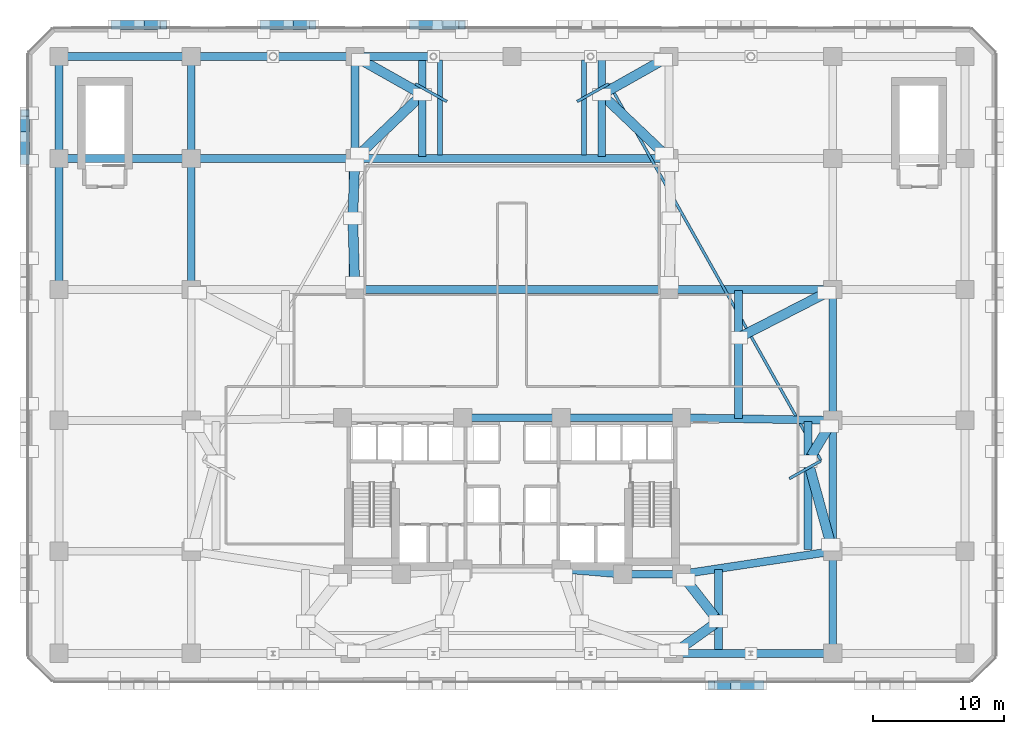
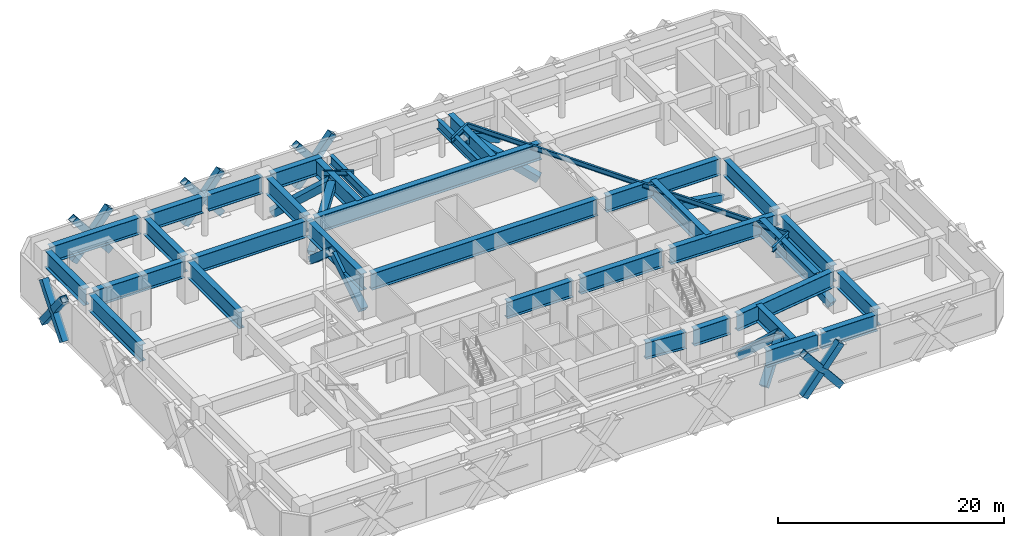
# One storey, part 6 of 14: 37 beams, 25 members.
"""IFC4 building model written with IfcOpenShell, lengths in metres."""

from ifc_helpers import new_model, si_unit, direction, frame, origin, origin_2d, place, context, subcontext, project, spatial, hollow_rectangle, i_section, extrude, material, material_profile, profile_set, type_object, element, save


model = new_model("IFC4")

# Units and contexts
model_context = context("Model", 3, precision=1e-05, world=origin(), true_north=direction((0.0, 1.0)))
body_context = subcontext(model_context, "Body", "Model", "MODEL_VIEW")
ifc_project = project(units=[si_unit("LENGTHUNIT", "METRE"), si_unit("AREAUNIT", "SQUARE_METRE"), si_unit("VOLUMEUNIT", "CUBIC_METRE"), si_unit("PLANEANGLEUNIT", "RADIAN"), si_unit("MASSUNIT", "GRAM", prefix="KILO")], contexts=[model_context])

# Site, building, storey
site_placement = place(None, origin())
site = spatial("IfcSite", under=ifc_project, at=site_placement, CompositionType="ELEMENT")
building_placement = place(site_placement, origin())
building = spatial("IfcBuilding", under=site, at=building_placement, Name="Quenlor Broadcast Tower", CompositionType="ELEMENT")
storey_placement = place(building_placement, frame((0.0, 0.0, 23.0)))
storey = spatial("IfcBuildingStorey", under=building, at=storey_placement, Name="L05", CompositionType="ELEMENT", Elevation=23.0)

# Members
ifc_material_1 = material(Name="Steel S355", Category="steel")
ifc_material_profile_1 = material_profile(ifc_material_1, hollow_rectangle(XDim=0.679931640625, YDim=0.679931640625, WallThickness=0.034912109375, at=origin_2d()))
ifc_profile_set_1 = profile_set([ifc_material_profile_1], Name="Steel S355 RHS680x680x35")
member_type_1 = type_object("IfcMemberType", Name="Perimeter Diagonal Lattice Brace Z1 Steel S355 RHS680x35", PredefinedType="BRACE", material=ifc_profile_set_1)
member_1_placement = place(storey_placement, frame((18.977294921875, -25.215087890625, -0.1201171875), z_axis=(-0.632296924552, 0.0, 0.774726144649), x_axis=(0.0, -1.0, 0.0)))
element("IfcMember", 1, at=member_1_placement, inside=storey, type_object=member_type_1, Name="L05 Podium Diamond Lattice S-P2XA", PredefinedType="BRACE", context=body_context, shape_type="SweptSolid", body=[
    extrude(hollow_rectangle(XDim=0.679931640625, YDim=0.679931640625, WallThickness=0.034912109375, at=origin_2d()), origin(), (0.0, 0.0, 1.0), 5.937744140625),
])
for number, where, z_axis, x_axis, name in (
    (2, (15.222900390625, -25.215087890625, -0.1201171875), (0.632254412318, 0.0, 0.774760839295), (0.0, 1.0, 0.0), "L05 Podium Diamond Lattice S-P2XB1"),
    (3, (17.258056640625, -25.215087890625, 2.373779296875), (0.632352295291, 0.0, 0.774680950224), (0.0, 1.0, 0.0), "L05 Podium Diamond Lattice S-P2XB2"),
):
    element("IfcMember", number, at=place(storey_placement, frame(where, z_axis=z_axis, x_axis=x_axis)), inside=storey, type_object=member_type_1, Name=name, PredefinedType="BRACE", context=body_context, shape_type="SweptSolid", body=[
        extrude(hollow_rectangle(XDim=0.679931640625, YDim=0.679931640625, WallThickness=0.034912109375, at=origin_2d()), origin(), (0.0, 0.0, 1.0), 2.71875),
    ])
member_2_placement = place(storey_placement, frame((-30.377197265625, 25.215087890625, -0.1201171875), z_axis=(0.632296924552, 0.0, 0.774726144649), x_axis=(0.0, 1.0, 0.0)))
element("IfcMember", 4, at=member_2_placement, inside=storey, type_object=member_type_1, Name="L05 Podium Diamond Lattice N-P1XA", PredefinedType="BRACE", context=body_context, shape_type="SweptSolid", body=[
    extrude(hollow_rectangle(XDim=0.679931640625, YDim=0.679931640625, WallThickness=0.034912109375, at=origin_2d()), origin(), (0.0, 0.0, 1.0), 5.937744140625),
])
for number, where, z_axis, x_axis, name in (
    (5, (-26.622802734375, 25.215087890625, -0.1201171875), (-0.632254412318, 0.0, 0.774760839295), (0.0, -1.0, 0.0), "L05 Podium Diamond Lattice N-P1XB1"),
    (6, (-28.658203125, 25.215087890625, 2.373779296875), (-0.63229840062, 0.0, 0.774724939945), (0.0, -1.0, 0.0), "L05 Podium Diamond Lattice N-P1XB2"),
):
    element("IfcMember", number, at=place(storey_placement, frame(where, z_axis=z_axis, x_axis=x_axis)), inside=storey, type_object=member_type_1, Name=name, PredefinedType="BRACE", context=body_context, shape_type="SweptSolid", body=[
        extrude(hollow_rectangle(XDim=0.679931640625, YDim=0.679931640625, WallThickness=0.034912109375, at=origin_2d()), origin(), (0.0, 0.0, 1.0), 2.71875),
    ])
member_3_placement = place(storey_placement, frame((-18.977294921875, 25.215087890625, -0.1201171875), z_axis=(0.632296924552, 0.0, 0.774726144649), x_axis=(0.0, 1.0, 0.0)))
element("IfcMember", 7, at=member_3_placement, inside=storey, type_object=member_type_1, Name="L05 Podium Diamond Lattice N-P2XA", PredefinedType="BRACE", context=body_context, shape_type="SweptSolid", body=[
    extrude(hollow_rectangle(XDim=0.679931640625, YDim=0.679931640625, WallThickness=0.034912109375, at=origin_2d()), origin(), (0.0, 0.0, 1.0), 5.937744140625),
])
for number, where, z_axis, x_axis, name in (
    (8, (-15.222900390625, 25.215087890625, -0.1201171875), (-0.632254412318, 0.0, 0.774760839295), (0.0, -1.0, 0.0), "L05 Podium Diamond Lattice N-P2XB1"),
    (9, (-17.258056640625, 25.215087890625, 2.373779296875), (-0.632352295291, 0.0, 0.774680950224), (0.0, -1.0, 0.0), "L05 Podium Diamond Lattice N-P2XB2"),
):
    element("IfcMember", number, at=place(storey_placement, frame(where, z_axis=z_axis, x_axis=x_axis)), inside=storey, type_object=member_type_1, Name=name, PredefinedType="BRACE", context=body_context, shape_type="SweptSolid", body=[
        extrude(hollow_rectangle(XDim=0.679931640625, YDim=0.679931640625, WallThickness=0.034912109375, at=origin_2d()), origin(), (0.0, 0.0, 1.0), 2.71875),
    ])
member_4_placement = place(storey_placement, frame((-7.5771484375, 25.215087890625, -0.1201171875), z_axis=(0.632296924552, 0.0, 0.774726144649), x_axis=(0.0, 1.0, 0.0)))
element("IfcMember", 10, at=member_4_placement, inside=storey, type_object=member_type_1, Name="L05 Podium Diamond Lattice N-P3XA", PredefinedType="BRACE", context=body_context, shape_type="SweptSolid", body=[
    extrude(hollow_rectangle(XDim=0.679931640625, YDim=0.679931640625, WallThickness=0.034912109375, at=origin_2d()), origin(), (0.0, 0.0, 1.0), 5.937744140625),
])
member_5_placement = place(storey_placement, frame((-5.858154296875, 25.215087890625, 2.373779296875), z_axis=(-0.63229840062, 0.0, 0.774724939945), x_axis=(0.0, -1.0, 0.0)))
element("IfcMember", 11, at=member_5_placement, inside=storey, type_object=member_type_1, Name="L05 Podium Diamond Lattice N-P3XB2", PredefinedType="BRACE", context=body_context, shape_type="SweptSolid", body=[
    extrude(hollow_rectangle(XDim=0.679931640625, YDim=0.679931640625, WallThickness=0.034912109375, at=origin_2d()), origin(), (0.0, 0.0, 1.0), 2.71875),
])
member_6_placement = place(storey_placement, frame((-37.215087890625, 14.822265625, -0.1201171875), z_axis=(0.0, 0.622142921458, 0.78290368838), x_axis=(-1.0, 0.0, 0.0)))
element("IfcMember", 12, at=member_6_placement, inside=storey, type_object=member_type_1, Name="L05 Podium Diamond Lattice W-P4XA", PredefinedType="BRACE", context=body_context, shape_type="SweptSolid", body=[
    extrude(hollow_rectangle(XDim=0.679931640625, YDim=0.679931640625, WallThickness=0.034912109375, at=origin_2d()), origin(), (0.0, 0.0, 1.0), 5.875732421875),
])
member_7_placement = place(storey_placement, frame((-37.215087890625, 18.477783203125, -0.1201171875), z_axis=(0.0, -0.622144221456, 0.782902655321), x_axis=(1.0, 0.0, 0.0)))
element("IfcMember", 13, at=member_7_placement, inside=storey, type_object=member_type_1, Name="L05 Podium Diamond Lattice W-P4XB1", PredefinedType="BRACE", context=body_context, shape_type="SweptSolid", body=[
    extrude(hollow_rectangle(XDim=0.679931640625, YDim=0.679931640625, WallThickness=0.034912109375, at=origin_2d()), origin(), (0.0, 0.0, 1.0), 2.68798828125),
])
member_8_placement = place(storey_placement, frame((-37.215087890625, 16.494384765625, 2.375732421875), z_axis=(0.0, -0.622132788988, 0.782911740151), x_axis=(1.0, 0.0, 0.0)))
element("IfcMember", 14, at=member_8_placement, inside=storey, type_object=member_type_1, Name="L05 Podium Diamond Lattice W-P4XB2", PredefinedType="BRACE", context=body_context, shape_type="SweptSolid", body=[
    extrude(hollow_rectangle(XDim=0.679931640625, YDim=0.679931640625, WallThickness=0.034912109375, at=origin_2d()), origin(), (0.0, 0.0, 1.0), 2.687744140625),
])

# Beams
ifc_material_2 = material(Name="Steel S355", Category="steel")
ifc_material_profile_2 = material_profile(ifc_material_2, i_section(OverallWidth=0.208984375, OverallDepth=0.532958984375, WebThickness=0.01025390625, FlangeThickness=0.015625, FilletRadius=0.013916015625, at=origin_2d()))
ifc_profile_set_2 = profile_set([ifc_material_profile_2], Name="Steel S355 530UB92.4")
beam_type_1 = type_object("IfcBeamType", Name="Perimeter Spandrel Beam Z1 Steel S355 530UB92.4", PredefinedType="SPANDREL", material=ifc_profile_set_2)
for number, where, z_axis, x_axis, name in (
    (15, (4.9794921875, 19.3564453125, 4.08349609375), (0.871587348915, 0.490240240301, 0.0), (-0.490240240301, 0.871587348915, 0.0), "L05 Tower Lattice Sill Radial Tie NE1"),
    (16, (21.18408203125, -9.45166015625, 4.08349609375), (0.871587348915, 0.490240240301, 0.0), (-0.490240240301, 0.871587348915, 0.0), "L05 Tower Lattice Sill Radial Tie NE2"),
):
    element("IfcBeam", number, at=place(storey_placement, frame(where, z_axis=z_axis, x_axis=x_axis)), inside=storey, type_object=beam_type_1, Name=name, PredefinedType="SPANDREL", context=body_context, shape_type="SweptSolid", body=[
        extrude(i_section(OverallWidth=0.208984375, OverallDepth=0.532958984375, WebThickness=0.01025390625, FlangeThickness=0.015625, FilletRadius=0.013916015625, at=origin_2d()), origin(), (0.0, 0.0, 1.0), 2.760009765625),
    ])
beam_1_placement = place(storey_placement, frame((7.412353515625, 20.701904296875, 4.08349609375), z_axis=(0.490258781835, -0.871576919631, 0.0), x_axis=(0.871576919631, 0.490258781835, 0.0)))
element("IfcBeam", 17, at=beam_1_placement, inside=storey, type_object=beam_type_1, Name="L05 Tower Lattice Sill Girder NE", PredefinedType="SPANDREL", context=body_context, shape_type="SweptSolid", body=[
    extrude(i_section(OverallWidth=0.208984375, OverallDepth=0.532958984375, WebThickness=0.01025390625, FlangeThickness=0.015625, FilletRadius=0.013916015625, at=origin_2d()), origin(), (0.0, 0.0, 1.0), 33.0126953125),
])
beam_2_placement = place(storey_placement, frame((-4.9794921875, 19.3564453125, 4.08349609375), z_axis=(-0.871587348915, 0.490240240301, 0.0), x_axis=(-0.490240240301, -0.871587348915, 0.0)))
element("IfcBeam", 18, at=beam_2_placement, inside=storey, type_object=beam_type_1, Name="L05 Tower Lattice Sill Radial Tie NW2", PredefinedType="SPANDREL", context=body_context, shape_type="SweptSolid", body=[
    extrude(i_section(OverallWidth=0.208984375, OverallDepth=0.532958984375, WebThickness=0.01025390625, FlangeThickness=0.015625, FilletRadius=0.013916015625, at=origin_2d()), origin(), (0.0, 0.0, 1.0), 2.760009765625),
])
ifc_material_3 = material(Name="Steel S355", Category="steel")
ifc_material_profile_3 = material_profile(ifc_material_3, i_section(OverallWidth=0.60009765625, OverallDepth=1.800048828125, WebThickness=0.02392578125, FlangeThickness=0.035888671875, FilletRadius=0.01806640625, at=origin_2d()))
ifc_profile_set_3 = profile_set([ifc_material_profile_3], Name="Steel S355 1800TG620")
beam_type_2 = type_object("IfcBeamType", Name="Podium Composite Transfer Girder Steel S355 1800", PredefinedType="BEAM", material=ifc_profile_set_3)
beam_3_placement = place(storey_placement, frame((12.77001953125, -22.800048828125, 3.449951171875), z_axis=(1.0, 0.0, 0.0), x_axis=(0.0, 1.0, 0.0)))
element("IfcBeam", 19, at=beam_3_placement, inside=storey, type_object=beam_type_2, Name="L05 Podium Composite Transfer Girder 7", PredefinedType="BEAM", context=body_context, shape_type="SweptSolid", body=[
    extrude(i_section(OverallWidth=0.60009765625, OverallDepth=1.800048828125, WebThickness=0.02392578125, FlangeThickness=0.035888671875, FilletRadius=0.01806640625, at=origin_2d()), origin(), (0.0, 0.0, 1.0), 5.345458984375),
])
beam_4_placement = place(storey_placement, frame((18.384521484375, -22.800048828125, 3.449951171875), z_axis=(1.0, 0.0, 0.0), x_axis=(0.0, 1.0, 0.0)))
element("IfcBeam", 20, at=beam_4_placement, inside=storey, type_object=beam_type_2, Name="L05 Podium Composite Transfer Girder 8", PredefinedType="BEAM", context=body_context, shape_type="SweptSolid", body=[
    extrude(i_section(OverallWidth=0.60009765625, OverallDepth=1.800048828125, WebThickness=0.02392578125, FlangeThickness=0.035888671875, FilletRadius=0.01806640625, at=origin_2d()), origin(), (0.0, 0.0, 1.0), 5.695556640625),
])
beam_5_placement = place(storey_placement, frame((-11.580078125, 5.0, 3.449951171875), z_axis=(1.0, 0.0, 0.0), x_axis=(0.0, 1.0, 0.0)))
element("IfcBeam", 21, at=beam_5_placement, inside=storey, type_object=beam_type_2, Name="L05 Podium Composite Transfer Girder 16", PredefinedType="BEAM", context=body_context, shape_type="SweptSolid", body=[
    extrude(i_section(OverallWidth=0.60009765625, OverallDepth=1.800048828125, WebThickness=0.02392578125, FlangeThickness=0.035888671875, FilletRadius=0.01806640625, at=origin_2d()), origin(), (0.0, 0.0, 1.0), 23.16015625),
])
beam_6_placement = place(storey_placement, frame((12.419921875, 5.0, 3.449951171875), z_axis=(1.0, 0.0, 0.0), x_axis=(0.0, 1.0, 0.0)))
element("IfcBeam", 22, at=beam_6_placement, inside=storey, type_object=beam_type_2, Name="L05 Podium Composite Transfer Girder 17", PredefinedType="BEAM", context=body_context, shape_type="SweptSolid", body=[
    extrude(i_section(OverallWidth=0.60009765625, OverallDepth=1.800048828125, WebThickness=0.02392578125, FlangeThickness=0.035888671875, FilletRadius=0.01806640625, at=origin_2d()), origin(), (0.0, 0.0, 1.0), 11.66015625),
])
beam_7_placement = place(storey_placement, frame((-34.179931640625, 15.0, 3.449951171875), z_axis=(1.0, 0.0, 0.0), x_axis=(0.0, 1.0, 0.0)))
element("IfcBeam", 23, at=beam_7_placement, inside=storey, type_object=beam_type_2, Name="L05 Podium Composite Transfer Girder 19", PredefinedType="BEAM", context=body_context, shape_type="SweptSolid", body=[
    extrude(i_section(OverallWidth=0.60009765625, OverallDepth=1.800048828125, WebThickness=0.02392578125, FlangeThickness=0.035888671875, FilletRadius=0.01806640625, at=origin_2d()), origin(), (0.0, 0.0, 1.0), 9.260009765625),
])
beam_8_placement = place(storey_placement, frame((-24.080078125, 15.0, 3.449951171875), z_axis=(1.0, 0.0, 0.0), x_axis=(0.0, 1.0, 0.0)))
element("IfcBeam", 24, at=beam_8_placement, inside=storey, type_object=beam_type_2, Name="L05 Podium Composite Transfer Girder 20", PredefinedType="BEAM", context=body_context, shape_type="SweptSolid", body=[
    extrude(i_section(OverallWidth=0.60009765625, OverallDepth=1.800048828125, WebThickness=0.02392578125, FlangeThickness=0.035888671875, FilletRadius=0.01806640625, at=origin_2d()), origin(), (0.0, 0.0, 1.0), 11.66015625),
])
beam_9_placement = place(storey_placement, frame((-11.580078125, 15.0, 3.449951171875), z_axis=(1.0, 0.0, 0.0), x_axis=(0.0, 1.0, 0.0)))
element("IfcBeam", 25, at=beam_9_placement, inside=storey, type_object=beam_type_2, Name="L05 Podium Composite Transfer Girder 21", PredefinedType="BEAM", context=body_context, shape_type="SweptSolid", body=[
    extrude(i_section(OverallWidth=0.60009765625, OverallDepth=1.800048828125, WebThickness=0.02392578125, FlangeThickness=0.035888671875, FilletRadius=0.01806640625, at=origin_2d()), origin(), (0.0, 0.0, 1.0), 23.16015625),
])
beam_10_placement = place(storey_placement, frame((-34.179931640625, 22.800048828125, 3.449951171875), z_axis=(1.0, 0.0, 0.0), x_axis=(0.0, 1.0, 0.0)))
element("IfcBeam", 26, at=beam_10_placement, inside=storey, type_object=beam_type_2, Name="L05 Podium Composite Transfer Girder 24", PredefinedType="BEAM", context=body_context, shape_type="SweptSolid", body=[
    extrude(i_section(OverallWidth=0.60009765625, OverallDepth=1.800048828125, WebThickness=0.02392578125, FlangeThickness=0.035888671875, FilletRadius=0.01806640625, at=origin_2d()), origin(), (0.0, 0.0, 1.0), 9.260009765625),
])
for number, where, z_axis, x_axis, name in (
    (27, (-24.080078125, 22.800048828125, 3.449951171875), (1.0, 0.0, 0.0), (0.0, 1.0, 0.0), "L05 Podium Composite Transfer Girder 25"),
    (28, (-17.965087890625, 22.800048828125, 3.449951171875), (1.0, 0.0, 0.0), (0.0, 1.0, 0.0), "L05 Podium Composite Transfer Girder 26"),
):
    element("IfcBeam", number, at=place(storey_placement, frame(where, z_axis=z_axis, x_axis=x_axis)), inside=storey, type_object=beam_type_2, Name=name, PredefinedType="BEAM", context=body_context, shape_type="SweptSolid", body=[
        extrude(i_section(OverallWidth=0.60009765625, OverallDepth=1.800048828125, WebThickness=0.02392578125, FlangeThickness=0.035888671875, FilletRadius=0.01806640625, at=origin_2d()), origin(), (0.0, 0.0, 1.0), 5.545166015625),
    ])
beam_11_placement = place(storey_placement, frame((-11.580078125, 22.800048828125, 3.449951171875), z_axis=(1.0, 0.0, 0.0), x_axis=(0.0, 1.0, 0.0)))
element("IfcBeam", 29, at=beam_11_placement, inside=storey, type_object=beam_type_2, Name="L05 Podium Composite Transfer Girder 27", PredefinedType="BEAM", context=body_context, shape_type="SweptSolid", body=[
    extrude(i_section(OverallWidth=0.60009765625, OverallDepth=1.800048828125, WebThickness=0.02392578125, FlangeThickness=0.035888671875, FilletRadius=0.01806640625, at=origin_2d()), origin(), (0.0, 0.0, 1.0), 5.34619140625),
])
beam_12_placement = place(storey_placement, frame((-34.60009765625, 5.419921875, 3.449951171875), z_axis=(0.0, 1.0, 0.0), x_axis=(-1.0, 0.0, 0.0)))
element("IfcBeam", 30, at=beam_12_placement, inside=storey, type_object=beam_type_2, Name="L05 Podium Composite Transfer Girder 37", PredefinedType="BEAM", context=body_context, shape_type="SweptSolid", body=[
    extrude(i_section(OverallWidth=0.60009765625, OverallDepth=1.800048828125, WebThickness=0.02392578125, FlangeThickness=0.035888671875, FilletRadius=0.01806640625, at=origin_2d()), origin(), (0.0, 0.0, 1.0), 9.16015625),
])
beam_13_placement = place(storey_placement, frame((-34.60009765625, 15.419921875, 3.449951171875), z_axis=(0.0, 1.0, 0.0), x_axis=(-1.0, 0.0, 0.0)))
element("IfcBeam", 31, at=beam_13_placement, inside=storey, type_object=beam_type_2, Name="L05 Podium Composite Transfer Girder 38", PredefinedType="BEAM", context=body_context, shape_type="SweptSolid", body=[
    extrude(i_section(OverallWidth=0.60009765625, OverallDepth=1.800048828125, WebThickness=0.02392578125, FlangeThickness=0.035888671875, FilletRadius=0.01806640625, at=origin_2d()), origin(), (0.0, 0.0, 1.0), 6.9599609375),
])
beam_14_placement = place(storey_placement, frame((-24.5, 5.419921875, 3.449951171875), z_axis=(0.0, 1.0, 0.0), x_axis=(-1.0, 0.0, 0.0)))
element("IfcBeam", 32, at=beam_14_placement, inside=storey, type_object=beam_type_2, Name="L05 Podium Composite Transfer Girder 42", PredefinedType="BEAM", context=body_context, shape_type="SweptSolid", body=[
    extrude(i_section(OverallWidth=0.60009765625, OverallDepth=1.800048828125, WebThickness=0.02392578125, FlangeThickness=0.035888671875, FilletRadius=0.01806640625, at=origin_2d()), origin(), (0.0, 0.0, 1.0), 9.16015625),
])
for number, where, z_axis, x_axis, name in (
    (33, (-24.5, 15.419921875, 3.449951171875), (0.0, 1.0, 0.0), (-1.0, 0.0, 0.0), "L05 Podium Composite Transfer Girder 43"),
    (34, (24.5, -22.3798828125, 3.449951171875), (0.0, 1.0, 0.0), (-1.0, 0.0, 0.0), "L05 Podium Composite Transfer Girder 44"),
):
    element("IfcBeam", number, at=place(storey_placement, frame(where, z_axis=z_axis, x_axis=x_axis)), inside=storey, type_object=beam_type_2, Name=name, PredefinedType="BEAM", context=body_context, shape_type="SweptSolid", body=[
        extrude(i_section(OverallWidth=0.60009765625, OverallDepth=1.800048828125, WebThickness=0.02392578125, FlangeThickness=0.035888671875, FilletRadius=0.01806640625, at=origin_2d()), origin(), (0.0, 0.0, 1.0), 6.9599609375),
    ])
for number, where, z_axis, x_axis, name in (
    (35, (24.5, -14.580078125, 3.449951171875), (0.0, 1.0, 0.0), (-1.0, 0.0, 0.0), "L05 Podium Composite Transfer Girder 45"),
    (36, (24.5, -4.580078125, 3.449951171875), (0.0, 1.0, 0.0), (-1.0, 0.0, 0.0), "L05 Podium Composite Transfer Girder 46"),
):
    element("IfcBeam", number, at=place(storey_placement, frame(where, z_axis=z_axis, x_axis=x_axis)), inside=storey, type_object=beam_type_2, Name=name, PredefinedType="BEAM", context=body_context, shape_type="SweptSolid", body=[
        extrude(i_section(OverallWidth=0.60009765625, OverallDepth=1.800048828125, WebThickness=0.02392578125, FlangeThickness=0.035888671875, FilletRadius=0.01806640625, at=origin_2d()), origin(), (0.0, 0.0, 1.0), 9.16015625),
    ])
beam_15_placement = place(storey_placement, frame((-12.0, 15.419921875, 3.449951171875), z_axis=(0.0, 1.0, 0.0), x_axis=(-1.0, 0.0, 0.0)))
element("IfcBeam", 37, at=beam_15_placement, inside=storey, type_object=beam_type_2, Name="L05 Podium Composite Transfer Girder 55", PredefinedType="BEAM", context=body_context, shape_type="SweptSolid", body=[
    extrude(i_section(OverallWidth=0.60009765625, OverallDepth=1.800048828125, WebThickness=0.02392578125, FlangeThickness=0.035888671875, FilletRadius=0.01806640625, at=origin_2d()), origin(), (0.0, 0.0, 1.0), 6.9599609375),
])
beam_16_placement = place(storey_placement, frame((13.32568359375, -16.693115234375, 3.449951171875), z_axis=(0.988714400573, 0.14981266335, 0.0), x_axis=(-0.14981266335, 0.988714400573, 0.0)))
element("IfcBeam", 38, at=beam_16_placement, inside=storey, type_object=beam_type_2, Name="L05 Podium Composite Transfer Cross Girder 2", PredefinedType="BEAM", context=body_context, shape_type="SweptSolid", body=[
    extrude(i_section(OverallWidth=0.60009765625, OverallDepth=1.800048828125, WebThickness=0.02392578125, FlangeThickness=0.035888671875, FilletRadius=0.01806640625, at=origin_2d()), origin(), (0.0, 0.0, 1.0), 10.921875),
])
beam_17_placement = place(storey_placement, frame((-3.3701171875, -4.800048828125, 3.449951171875), z_axis=(1.0, 0.0, 0.0), x_axis=(0.0, 1.0, 0.0)))
element("IfcBeam", 39, at=beam_17_placement, inside=storey, type_object=beam_type_2, Name="L05 Podium Composite Transfer Cross Girder 5", PredefinedType="BEAM", context=body_context, shape_type="SweptSolid", body=[
    extrude(i_section(OverallWidth=0.60009765625, OverallDepth=1.800048828125, WebThickness=0.02392578125, FlangeThickness=0.035888671875, FilletRadius=0.01806640625, at=origin_2d()), origin(), (0.0, 0.0, 1.0), 6.740234375),
])
beam_18_placement = place(storey_placement, frame((4.1298828125, -4.800048828125, 3.449951171875), z_axis=(1.0, 0.0, 0.0), x_axis=(0.0, 1.0, 0.0)))
element("IfcBeam", 40, at=beam_18_placement, inside=storey, type_object=beam_type_2, Name="L05 Podium Composite Transfer Cross Girder 6", PredefinedType="BEAM", context=body_context, shape_type="SweptSolid", body=[
    extrude(i_section(OverallWidth=0.60009765625, OverallDepth=1.800048828125, WebThickness=0.02392578125, FlangeThickness=0.035888671875, FilletRadius=0.01806640625, at=origin_2d()), origin(), (0.0, 0.0, 1.0), 8.440185546875),
])
beam_19_placement = place(storey_placement, frame((13.329833984375, -4.806640625, 3.449951171875), z_axis=(0.999850235211, -0.017306274859, 0.0), x_axis=(0.017306274859, 0.999850235211, 0.0)))
element("IfcBeam", 41, at=beam_19_placement, inside=storey, type_object=beam_type_2, Name="L05 Podium Composite Transfer Cross Girder 7", PredefinedType="BEAM", context=body_context, shape_type="SweptSolid", body=[
    extrude(i_section(OverallWidth=0.60009765625, OverallDepth=1.800048828125, WebThickness=0.02392578125, FlangeThickness=0.035888671875, FilletRadius=0.01806640625, at=origin_2d()), origin(), (0.0, 0.0, 1.0), 10.7919921875),
])
beam_20_placement = place(storey_placement, frame((4.128662109375, -16.382080078125, 3.449951171875), z_axis=(0.996394789765, -0.084837626845, 0.0), x_axis=(0.084837626845, 0.996394789765, 0.0)))
element("IfcBeam", 42, at=beam_20_placement, inside=storey, type_object=beam_type_2, Name="L05 Podium Composite Transfer Cross Girder 11", PredefinedType="BEAM", context=body_context, shape_type="SweptSolid", body=[
    extrude(i_section(OverallWidth=0.60009765625, OverallDepth=1.800048828125, WebThickness=0.02392578125, FlangeThickness=0.035888671875, FilletRadius=0.01806640625, at=origin_2d()), origin(), (0.0, 0.0, 1.0), 3.956787109375),
])
beam_21_placement = place(storey_placement, frame((8.830078125, -16.75, 3.449951171875), z_axis=(1.0, 0.0, 0.0), x_axis=(0.0, 1.0, 0.0)))
element("IfcBeam", 43, at=beam_21_placement, inside=storey, type_object=beam_type_2, Name="L05 Podium Composite Transfer Cross Girder 12", PredefinedType="BEAM", context=body_context, shape_type="SweptSolid", body=[
    extrude(i_section(OverallWidth=0.60009765625, OverallDepth=1.800048828125, WebThickness=0.02392578125, FlangeThickness=0.035888671875, FilletRadius=0.01806640625, at=origin_2d()), origin(), (0.0, 0.0, 1.0), 3.739990234375),
])
beam_22_placement = place(storey_placement, frame((15.76513671875, -22.659912109375, 3.449951171875), z_axis=(0.0, 1.0, 0.0), x_axis=(-1.0, 0.0, 0.0)))
element("IfcBeam", 44, at=beam_22_placement, inside=storey, type_object=beam_type_2, Name="L05 Transfer Girder S4", PredefinedType="BEAM", context=body_context, shape_type="SweptSolid", body=[
    extrude(i_section(OverallWidth=0.60009765625, OverallDepth=1.800048828125, WebThickness=0.02392578125, FlangeThickness=0.035888671875, FilletRadius=0.01806640625, at=origin_2d()), origin(), (0.0, 0.0, 1.0), 6.25634765625),
])
for number, where, z_axis, x_axis, name in (
    (45, (22.6162109375, -14.860107421875, 3.449951171875), (0.0, 1.0, 0.0), (-1.0, 0.0, 0.0), "L05 Transfer Girder NE1"),
    (46, (17.303955078125, -4.860107421875, 3.449951171875), (0.0, 1.0, 0.0), (-1.0, 0.0, 0.0), "L05 Transfer Girder NE2"),
):
    element("IfcBeam", number, at=place(storey_placement, frame(where, z_axis=z_axis, x_axis=x_axis)), inside=storey, type_object=beam_type_2, Name=name, PredefinedType="BEAM", context=body_context, shape_type="SweptSolid", body=[
        extrude(i_section(OverallWidth=0.60009765625, OverallDepth=1.800048828125, WebThickness=0.02392578125, FlangeThickness=0.035888671875, FilletRadius=0.01806640625, at=origin_2d()), origin(), (0.0, 0.0, 1.0), 9.780029296875),
    ])
for number, where, z_axis, x_axis, name in (
    (47, (6.850830078125, 15.139892578125, 3.449951171875), (0.0, 1.0, 0.0), (-1.0, 0.0, 0.0), "L05 Transfer Girder NE4"),
    (48, (-6.850830078125, 15.139892578125, 3.449951171875), (0.0, 1.0, 0.0), (-1.0, 0.0, 0.0), "L05 Transfer Girder NW1"),
):
    element("IfcBeam", number, at=place(storey_placement, frame(where, z_axis=z_axis, x_axis=x_axis)), inside=storey, type_object=beam_type_2, Name=name, PredefinedType="BEAM", context=body_context, shape_type="SweptSolid", body=[
        extrude(i_section(OverallWidth=0.60009765625, OverallDepth=1.800048828125, WebThickness=0.02392578125, FlangeThickness=0.035888671875, FilletRadius=0.01806640625, at=origin_2d()), origin(), (0.0, 0.0, 1.0), 7.580078125),
    ])
beam_23_placement = place(storey_placement, frame((-12.1630859375, 5.139892578125, 3.449951171875), z_axis=(0.0, 1.0, 0.0), x_axis=(-1.0, 0.0, 0.0)))
element("IfcBeam", 49, at=beam_23_placement, inside=storey, type_object=beam_type_2, Name="L05 Transfer Girder NW2", PredefinedType="BEAM", context=body_context, shape_type="SweptSolid", body=[
    extrude(i_section(OverallWidth=0.60009765625, OverallDepth=1.800048828125, WebThickness=0.02392578125, FlangeThickness=0.035888671875, FilletRadius=0.01806640625, at=origin_2d()), origin(), (0.0, 0.0, 1.0), 9.780029296875),
])
ifc_material_4 = material(Name="Steel S355", Category="steel")
ifc_material_profile_4 = material_profile(ifc_material_4, i_section(OverallWidth=0.39990234375, OverallDepth=1.02392578125, WebThickness=0.01611328125, FlangeThickness=0.031982421875, FilletRadius=0.01611328125, at=origin_2d()))
ifc_profile_set_4 = profile_set([ifc_material_profile_4], Name="Steel S355 1000WB322")
beam_type_3 = type_object("IfcBeamType", Name="Podium Concourse Girder Steel S355 1000WB322", PredefinedType="BEAM", material=ifc_profile_set_4)
for number, where, z_axis, x_axis, name in (
    (50, (-5.5, 15.260009765625, 3.827880859375), (0.0, 1.0, 0.0), (-1.0, 0.0, 0.0), "L05 Podium Roof Terrace Support Girder W"),
    (51, (5.5, 15.260009765625, 3.827880859375), (0.0, 1.0, 0.0), (-1.0, 0.0, 0.0), "L05 Podium Roof Terrace Support Girder E"),
):
    element("IfcBeam", number, at=place(storey_placement, frame(where, z_axis=z_axis, x_axis=x_axis)), inside=storey, type_object=beam_type_3, Name=name, PredefinedType="BEAM", context=body_context, shape_type="SweptSolid", body=[
        extrude(i_section(OverallWidth=0.39990234375, OverallDepth=1.02392578125, WebThickness=0.01611328125, FlangeThickness=0.031982421875, FilletRadius=0.01611328125, at=origin_2d()), origin(), (0.0, 0.0, 1.0), 7.280029296875),
    ])

# Members
ifc_material_5 = material(Name="Steel S355", Category="steel")
ifc_material_profile_5 = material_profile(ifc_material_5, hollow_rectangle(XDim=0.75, YDim=0.75, WallThickness=0.034912109375, at=origin_2d()))
ifc_profile_set_5 = profile_set([ifc_material_profile_5], Name="Steel S355 RHS750x750x35")
member_type_2 = type_object("IfcMemberType", Name="Transfer Truss Diagonal Web Steel S355 RHS750x35", PredefinedType="BRACE", material=ifc_profile_set_5)
member_9_placement = place(storey_placement, frame((12.7724609375, -22.496826171875, 0.14990234375), z_axis=(0.587236273915, 0.421274911658, 0.691144708007), x_axis=(-0.582904874664, 0.81254040336, 0.0)))
element("IfcMember", 52, at=member_9_placement, inside=storey, type_object=member_type_2, Name="L05 Transfer Truss Diagonal S4-1", PredefinedType="BRACE", context=body_context, shape_type="SweptSolid", body=[
    extrude(hollow_rectangle(XDim=0.75, YDim=0.75, WallThickness=0.034912109375, at=origin_2d()), origin(), (0.0, 0.0, 1.0), 4.84716796875),
])
member_10_placement = place(storey_placement, frame((13.270263671875, -17.15966796875, 0.14990234375), z_axis=(0.465753801486, -0.595582971752, 0.654487830414), x_axis=(0.787732582943, 0.616017351841, 0.0)))
element("IfcMember", 53, at=member_10_placement, inside=storey, type_object=member_type_2, Name="L05 Transfer Truss Diagonal S4-2", PredefinedType="BRACE", context=body_context, shape_type="SweptSolid", body=[
    extrude(hollow_rectangle(XDim=0.75, YDim=0.75, WallThickness=0.034912109375, at=origin_2d()), origin(), (0.0, 0.0, 1.0), 5.11865234375),
])
member_11_placement = place(storey_placement, frame((24.3623046875, -14.49853515625, 0.14990234375), z_axis=(-0.234503489352, 0.855025946659, 0.462535127338), x_axis=(-0.964386447407, -0.264497221265, 0.0)))
element("IfcMember", 54, at=member_11_placement, inside=storey, type_object=member_type_2, Name="L05 Transfer Truss Diagonal NE1-1", PredefinedType="BRACE", context=body_context, shape_type="SweptSolid", body=[
    extrude(hollow_rectangle(XDim=0.75, YDim=0.75, WallThickness=0.034912109375, at=origin_2d()), origin(), (0.0, 0.0, 1.0), 7.242919921875),
])
member_12_placement = place(storey_placement, frame((24.23193359375, -5.445556640625, 0.14990234375), z_axis=(-0.34092811797, -0.566865411925, 0.749954414041), x_axis=(0.856952982782, -0.515394591843, 0.0)))
element("IfcMember", 55, at=member_12_placement, inside=storey, type_object=member_type_2, Name="L05 Transfer Truss Diagonal NE1-2", PredefinedType="BRACE", context=body_context, shape_type="SweptSolid", body=[
    extrude(hollow_rectangle(XDim=0.75, YDim=0.75, WallThickness=0.034912109375, at=origin_2d()), origin(), (0.0, 0.0, 1.0), 4.467041015625),
])
member_13_placement = place(storey_placement, frame((24.037109375, 4.7626953125, 0.14990234375), z_axis=(-0.810450944123, -0.415385082567, 0.413067186244), x_axis=(0.456115987406, -0.889920336903, 0.0)))
element("IfcMember", 56, at=member_13_placement, inside=storey, type_object=member_type_2, Name="L05 Transfer Truss Diagonal NE2-2", PredefinedType="BRACE", context=body_context, shape_type="SweptSolid", body=[
    extrude(hollow_rectangle(XDim=0.75, YDim=0.75, WallThickness=0.034912109375, at=origin_2d()), origin(), (0.0, 0.0, 1.0), 8.1103515625),
])
member_14_placement = place(storey_placement, frame((11.623046875, 15.3583984375, 0.14990234375), z_axis=(-0.642215663268, 0.610496722188, 0.463522161338), x_axis=(-0.688981866517, -0.724778578333, 0.0)))
element("IfcMember", 57, at=member_14_placement, inside=storey, type_object=member_type_2, Name="L05 Transfer Truss Diagonal NE4-1", PredefinedType="BRACE", context=body_context, shape_type="SweptSolid", body=[
    extrude(hollow_rectangle(XDim=0.75, YDim=0.75, WallThickness=0.034912109375, at=origin_2d()), origin(), (0.0, 0.0, 1.0), 7.2275390625),
])
member_15_placement = place(storey_placement, frame((11.547119140625, 22.54443359375, 0.14990234375), z_axis=(-0.732636115731, -0.413385978063, 0.540699875225), x_axis=(0.491415030779, -0.870925523523, 0.0)))
element("IfcMember", 58, at=member_15_placement, inside=storey, type_object=member_type_2, Name="L05 Transfer Truss Diagonal NE4-2", PredefinedType="BRACE", context=body_context, shape_type="SweptSolid", body=[
    extrude(hollow_rectangle(XDim=0.75, YDim=0.75, WallThickness=0.034912109375, at=origin_2d()), origin(), (0.0, 0.0, 1.0), 6.19580078125),
])
member_16_placement = place(storey_placement, frame((-11.623046875, 15.3583984375, 0.14990234375), z_axis=(0.642215663268, 0.610496722188, 0.463522161338), x_axis=(-0.688981866517, 0.724778578333, 0.0)))
element("IfcMember", 59, at=member_16_placement, inside=storey, type_object=member_type_2, Name="L05 Transfer Truss Diagonal NW1-1", PredefinedType="BRACE", context=body_context, shape_type="SweptSolid", body=[
    extrude(hollow_rectangle(XDim=0.75, YDim=0.75, WallThickness=0.034912109375, at=origin_2d()), origin(), (0.0, 0.0, 1.0), 7.2275390625),
])
member_17_placement = place(storey_placement, frame((-11.547119140625, 22.54443359375, 0.14990234375), z_axis=(0.732636115731, -0.413385978063, 0.540699875225), x_axis=(0.491415030779, 0.870925523523, 0.0)))
element("IfcMember", 60, at=member_17_placement, inside=storey, type_object=member_type_2, Name="L05 Transfer Truss Diagonal NW1-2", PredefinedType="BRACE", context=body_context, shape_type="SweptSolid", body=[
    extrude(hollow_rectangle(XDim=0.75, YDim=0.75, WallThickness=0.034912109375, at=origin_2d()), origin(), (0.0, 0.0, 1.0), 6.19580078125),
])
member_18_placement = place(storey_placement, frame((-12.015625, 5.519775390625, 0.14990234375), z_axis=(-0.024433892553, 0.817024025741, 0.576085693501), x_axis=(-0.999553116342, -0.02989260129, 0.0)))
element("IfcMember", 61, at=member_18_placement, inside=storey, type_object=member_type_2, Name="L05 Transfer Truss Diagonal NW2-1", PredefinedType="BRACE", context=body_context, shape_type="SweptSolid", body=[
    extrude(hollow_rectangle(XDim=0.75, YDim=0.75, WallThickness=0.034912109375, at=origin_2d()), origin(), (0.0, 0.0, 1.0), 5.815185546875),
])
member_19_placement = place(storey_placement, frame((-12.0185546875, 14.480224609375, 0.14990234375), z_axis=(-0.027068888911, -0.754055073241, 0.656253168962), x_axis=(0.999356297436, -0.035874653666, 0.0)))
element("IfcMember", 62, at=member_19_placement, inside=storey, type_object=member_type_2, Name="L05 Transfer Truss Diagonal NW2-2", PredefinedType="BRACE", context=body_context, shape_type="SweptSolid", body=[
    extrude(hollow_rectangle(XDim=0.75, YDim=0.75, WallThickness=0.034912109375, at=origin_2d()), origin(), (0.0, 0.0, 1.0), 5.10498046875),
])

save(model, "model.ifc")
